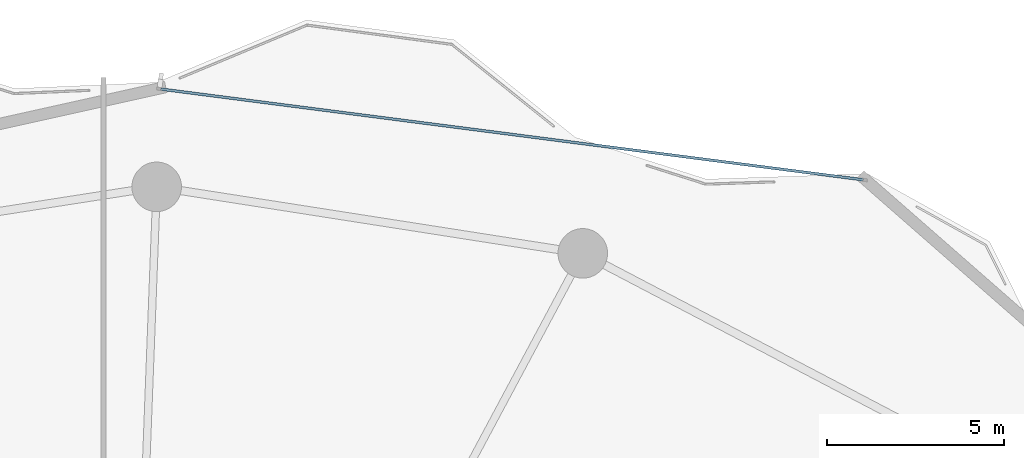
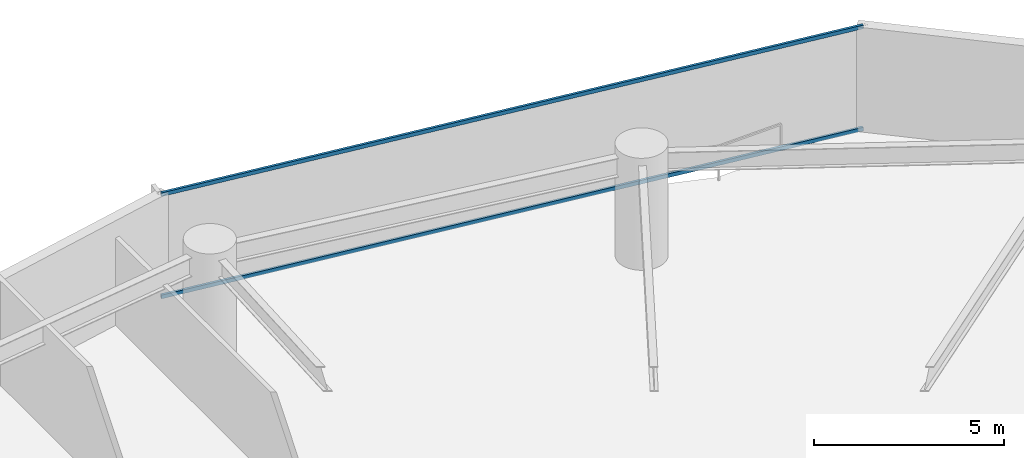
# One storey, part 21 of 32: 2 members, 1 element without a shape of its own.
"""IFC4 building model written with IfcOpenShell, lengths in metres."""

from ifc_helpers import new_model, si_unit, direction, frame, origin, origin_2d, place, context, subcontext, project, spatial, hollow_rectangle, extrude, material, layer, layer_set, material_profile, profile_set, type_object, element, aggregate, save


model = new_model("IFC4")

# Units and contexts
model_context = context("Model", 3, precision=1e-05, world=origin(), true_north=direction((0.0, 1.0)))
body_context = subcontext(model_context, "Body", "Model", "MODEL_VIEW")
ifc_project = project(units=[si_unit("LENGTHUNIT", "METRE"), si_unit("AREAUNIT", "SQUARE_METRE"), si_unit("VOLUMEUNIT", "CUBIC_METRE"), si_unit("PLANEANGLEUNIT", "RADIAN"), si_unit("MASSUNIT", "GRAM", prefix="KILO")], contexts=[model_context])

# Site, building, storey
site_placement = place(None, origin())
site = spatial("IfcSite", under=ifc_project, at=site_placement, CompositionType="ELEMENT")
building_placement = place(site_placement, origin())
building = spatial("IfcBuilding", under=site, at=building_placement, Name="Kazevale Care Tower and Concert Hall", CompositionType="ELEMENT")
storey_placement = place(building_placement, frame((0.0, 0.0, 34.800048828125)))
storey = spatial("IfcBuildingStorey", under=building, at=storey_placement, Name="L08", CompositionType="ELEMENT", Elevation=34.800048828125)

# Curtain wall, members
ifc_material_1 = material(Name="Aluminium 6063-T6 and Low-E Glass", Category="aluminium")
ifc_layer = layer(ifc_material_1, 0.179931640625)
ifc_layer_set = layer_set([ifc_layer], Name="Aluminium 6063-T6 and Low-E Glass")
curtain_wall_type = type_object("IfcCurtainWallType", Name="Convex Recessed Sunroom Curtain Wall CW-3", PredefinedType="NOTDEFINED", material=ifc_layer_set)
curtain_wall_placement = place(storey_placement, origin())
curtain_wall = element("IfcCurtainWall", 1, at=curtain_wall_placement, inside=storey, type_object=curtain_wall_type, Name="cw:L08:f16", PredefinedType="NOTDEFINED")
ifc_material_2 = material(Name="Aluminium 6063-T6", Category="aluminium")
ifc_material_profile = material_profile(ifc_material_2, hollow_rectangle(XDim=0.074951171875, YDim=0.1201171875, WallThickness=0.00390625, at=origin_2d()), Name="ALU75x120x4")
ifc_profile_set = profile_set([ifc_material_profile], Name="Aluminium 6063-T6")
member_type = type_object("IfcMemberType", Name="CW-3 Transom ALU75x120x4", PredefinedType="USERDEFINED", material=ifc_profile_set)
member_1_placement = place(storey_placement, frame((45.114501953125, 65.412353515625, 0.037353515625), z_axis=(0.991763328336, -0.128083959056, 0.0), x_axis=(0.128083959056, 0.991763328336, 0.0)))
member_1 = element("IfcMember", 2, at=member_1_placement, type_object=member_type, Name="CW-3 transom 1.1", ObjectType="TRANSOM", PredefinedType="USERDEFINED", context=body_context, shape_type="SweptSolid", body=[
    extrude(hollow_rectangle(XDim=0.074951171875, YDim=0.1201171875, WallThickness=0.00390625, at=origin_2d()), origin(), (0.0, 0.0, 1.0), 20.015869140625),
])
member_2_placement = place(storey_placement, frame((45.114501953125, 65.412353515625, 3.322509765625), z_axis=(0.991763328336, -0.128083959056, 0.0), x_axis=(0.128083959056, 0.991763328336, 0.0)))
member_2 = element("IfcMember", 3, at=member_2_placement, type_object=member_type, Name="CW-3 transom 1.2", ObjectType="TRANSOM", PredefinedType="USERDEFINED", context=body_context, shape_type="SweptSolid", body=[
    extrude(hollow_rectangle(XDim=0.074951171875, YDim=0.1201171875, WallThickness=0.00390625, at=origin_2d()), origin(), (0.0, 0.0, 1.0), 20.015869140625),
])
aggregate(curtain_wall, [member_1, member_2])

save(model, "model.ifc")
